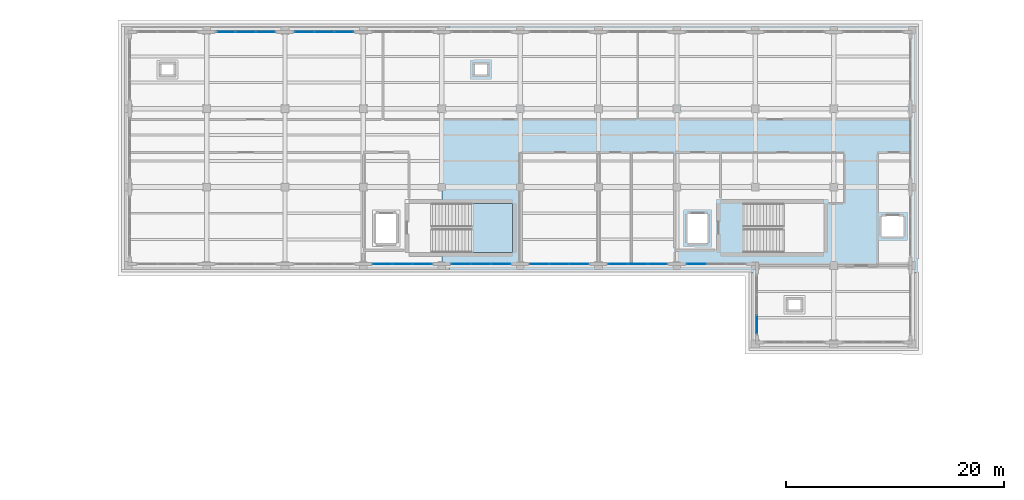
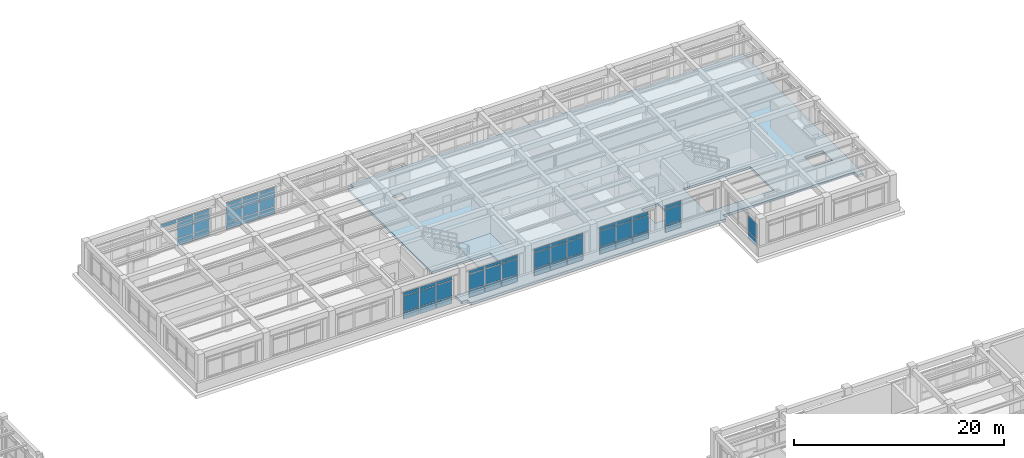
# One storey, part 42 of 64: 57 plates, 2 slabs, 9 elements without a shape of their own.
"""IFC4 building model written with IfcOpenShell, lengths in metres."""

from ifc_helpers import new_model, si_unit, direction, frame, origin, origin_2d, place, context, subcontext, project, spatial, polyline, rectangle, outline, extrude, material, layer, layer_set, type_object, element, aggregate, save


model = new_model("IFC4")

# Units and contexts
model_context = context("Model", 3, precision=1e-05, world=origin(), true_north=direction((0.0, 1.0)))
body_context = subcontext(model_context, "Body", "Model", "MODEL_VIEW")
ifc_project = project(units=[si_unit("LENGTHUNIT", "METRE"), si_unit("AREAUNIT", "SQUARE_METRE"), si_unit("VOLUMEUNIT", "CUBIC_METRE"), si_unit("PLANEANGLEUNIT", "RADIAN"), si_unit("MASSUNIT", "GRAM", prefix="KILO")], contexts=[model_context])

# Site, building, storey
site_placement = place(None, origin())
site = spatial("IfcSite", under=ifc_project, at=site_placement, CompositionType="ELEMENT")
building_placement = place(site_placement, origin())
building = spatial("IfcBuilding", under=site, at=building_placement, Name="Solenvale Faculty of Natural Sciences", CompositionType="ELEMENT")
storey_placement = place(building_placement, frame((0.0, 0.0, 18.0)))
storey = spatial("IfcBuildingStorey", under=building, at=storey_placement, Name="L04", CompositionType="ELEMENT", Elevation=18.0)

# Curtain wall, plates
ifc_material_1 = material(Name="Anodised bronze aluminium", Category="aluminium")
ifc_layer_1 = layer(ifc_material_1, 0.179931640625)
ifc_layer_set_1 = layer_set([ifc_layer_1], Name="Anodised bronze aluminium")
curtain_wall_type = type_object("IfcCurtainWallType", Name="CW-TWR-MOD", PredefinedType="USERDEFINED", material=ifc_layer_set_1)
curtain_wall_1_placement = place(storey_placement, origin())
curtain_wall_1 = element("IfcCurtainWall", 1, at=curtain_wall_1_placement, inside=storey, type_object=curtain_wall_type, Name="L04 Curtain Wall CW-L04-P3-E6-B5", ObjectType="UNITISED CURTAIN WALL", PredefinedType="USERDEFINED")
ifc_material_2 = material(Name="North-light skylight glass", Category="glass")
ifc_layer_2 = layer(ifc_material_2, 0.028076171875)
ifc_layer_set_2 = layer_set([ifc_layer_2], Name="North-light skylight glass")
plate_type_1 = type_object("IfcPlateType", Name="CWP-PNL-28", PredefinedType="CURTAIN_PANEL", material=ifc_layer_set_2)
plate_1_placement = place(storey_placement, frame((109.785400390625, 93.742431640625, 0.074951171875), z_axis=(0.0, 0.0, 1.0), x_axis=(1.0, 0.0, 0.0)))
plate_1 = element("IfcPlate", 2, at=plate_1_placement, type_object=plate_type_1, Name="CW-04 panel 1.1", PredefinedType="CURTAIN_PANEL", context=body_context, shape_type="SweptSolid", body=[
    extrude(rectangle(XDim=1.720947265625, YDim=0.028076171875, at=origin_2d()), origin(), (0.0, 0.0, 1.0), 0.78759765625),
])
plate_2_placement = place(storey_placement, frame((109.785400390625, 93.742431640625, 0.9375), z_axis=(0.0, 0.0, 1.0), x_axis=(1.0, 0.0, 0.0)))
plate_2 = element("IfcPlate", 3, at=plate_2_placement, type_object=plate_type_1, Name="CW-04 panel 1.2", PredefinedType="CURTAIN_PANEL", context=body_context, shape_type="SweptSolid", body=[
    extrude(rectangle(XDim=1.720947265625, YDim=0.028076171875, at=origin_2d()), origin(), (0.0, 0.0, 1.0), 1.784912109375),
])
plate_3_placement = place(storey_placement, frame((109.785400390625, 93.742431640625, 2.79736328125), z_axis=(0.0, 0.0, 1.0), x_axis=(1.0, 0.0, 0.0)))
plate_3 = element("IfcPlate", 4, at=plate_3_placement, type_object=plate_type_1, Name="CW-04 panel 1.3", PredefinedType="CURTAIN_PANEL", context=body_context, shape_type="SweptSolid", body=[
    extrude(rectangle(XDim=1.720947265625, YDim=0.028076171875, at=origin_2d()), origin(), (0.0, 0.0, 1.0), 0.387451171875),
])
plate_4_placement = place(storey_placement, frame((111.60009765625, 93.742431640625, 0.074951171875), z_axis=(0.0, 0.0, 1.0), x_axis=(1.0, 0.0, 0.0)))
plate_4 = element("IfcPlate", 5, at=plate_4_placement, type_object=plate_type_1, Name="CW-04 panel 2.1", PredefinedType="CURTAIN_PANEL", context=body_context, shape_type="SweptSolid", body=[
    extrude(rectangle(XDim=1.75830078125, YDim=0.028076171875, at=origin_2d()), origin(), (0.0, 0.0, 1.0), 0.78759765625),
])
plate_5_placement = place(storey_placement, frame((111.60009765625, 93.742431640625, 0.9375), z_axis=(0.0, 0.0, 1.0), x_axis=(1.0, 0.0, 0.0)))
plate_5 = element("IfcPlate", 6, at=plate_5_placement, type_object=plate_type_1, Name="CW-04 panel 2.2", PredefinedType="CURTAIN_PANEL", context=body_context, shape_type="SweptSolid", body=[
    extrude(rectangle(XDim=1.75830078125, YDim=0.028076171875, at=origin_2d()), origin(), (0.0, 0.0, 1.0), 1.784912109375),
])
plate_6_placement = place(storey_placement, frame((111.60009765625, 93.742431640625, 2.79736328125), z_axis=(0.0, 0.0, 1.0), x_axis=(1.0, 0.0, 0.0)))
plate_6 = element("IfcPlate", 7, at=plate_6_placement, type_object=plate_type_1, Name="CW-04 panel 2.3", PredefinedType="CURTAIN_PANEL", context=body_context, shape_type="SweptSolid", body=[
    extrude(rectangle(XDim=1.75830078125, YDim=0.028076171875, at=origin_2d()), origin(), (0.0, 0.0, 1.0), 0.387451171875),
])
plate_7_placement = place(storey_placement, frame((113.41455078125, 93.742431640625, 0.074951171875), z_axis=(0.0, 0.0, 1.0), x_axis=(1.0, 0.0, 0.0)))
plate_7 = element("IfcPlate", 8, at=plate_7_placement, type_object=plate_type_1, Name="CW-04 panel 3.1", PredefinedType="CURTAIN_PANEL", context=body_context, shape_type="SweptSolid", body=[
    extrude(rectangle(XDim=1.720947265625, YDim=0.028076171875, at=origin_2d()), origin(), (0.0, 0.0, 1.0), 0.78759765625),
])
plate_8_placement = place(storey_placement, frame((113.41455078125, 93.742431640625, 0.9375), z_axis=(0.0, 0.0, 1.0), x_axis=(1.0, 0.0, 0.0)))
plate_8 = element("IfcPlate", 9, at=plate_8_placement, type_object=plate_type_1, Name="CW-04 panel 3.2", PredefinedType="CURTAIN_PANEL", context=body_context, shape_type="SweptSolid", body=[
    extrude(rectangle(XDim=1.720947265625, YDim=0.028076171875, at=origin_2d()), origin(), (0.0, 0.0, 1.0), 1.784912109375),
])
plate_9_placement = place(storey_placement, frame((113.41455078125, 93.742431640625, 2.79736328125), z_axis=(0.0, 0.0, 1.0), x_axis=(1.0, 0.0, 0.0)))
plate_9 = element("IfcPlate", 10, at=plate_9_placement, type_object=plate_type_1, Name="CW-04 panel 3.3", PredefinedType="CURTAIN_PANEL", context=body_context, shape_type="SweptSolid", body=[
    extrude(rectangle(XDim=1.720947265625, YDim=0.028076171875, at=origin_2d()), origin(), (0.0, 0.0, 1.0), 0.387451171875),
])
aggregate(curtain_wall_1, [plate_1, plate_2, plate_3, plate_4, plate_5, plate_6, plate_7, plate_8, plate_9])

curtain_wall_2_placement = place(storey_placement, origin())
curtain_wall_2 = element("IfcCurtainWall", 11, at=curtain_wall_2_placement, inside=storey, type_object=curtain_wall_type, Name="L04 Curtain Wall CW-L04-P3-E4-B8", ObjectType="UNITISED CURTAIN WALL", PredefinedType="USERDEFINED")
ifc_material_3 = material(Name="Triple low-E insulated glass", Category="glass")
ifc_layer_3 = layer(ifc_material_3, 0.031982421875)
ifc_layer_set_3 = layer_set([ifc_layer_3], Name="Triple low-E insulated glass")
plate_type_2 = type_object("IfcPlateType", Name="CWP-PNL-32", PredefinedType="CURTAIN_PANEL", material=ifc_layer_set_3)
plate_10_placement = place(storey_placement, frame((99.0146484375, 115.0576171875, 0.074951171875), z_axis=(0.0, 0.0, 1.0), x_axis=(-1.0, 0.0, 0.0)))
plate_10 = element("IfcPlate", 12, at=plate_10_placement, type_object=plate_type_2, Name="CW-04 panel 1.1", PredefinedType="CURTAIN_PANEL", context=body_context, shape_type="SweptSolid", body=[
    extrude(rectangle(XDim=1.720947265625, YDim=0.031982421875, at=origin_2d()), origin(), (0.0, 0.0, 1.0), 0.78759765625),
])
plate_11_placement = place(storey_placement, frame((99.0146484375, 115.0576171875, 0.9375), z_axis=(0.0, 0.0, 1.0), x_axis=(-1.0, 0.0, 0.0)))
plate_11 = element("IfcPlate", 13, at=plate_11_placement, type_object=plate_type_2, Name="CW-04 panel 1.2", PredefinedType="CURTAIN_PANEL", context=body_context, shape_type="SweptSolid", body=[
    extrude(rectangle(XDim=1.720947265625, YDim=0.031982421875, at=origin_2d()), origin(), (0.0, 0.0, 1.0), 1.784912109375),
])
plate_12_placement = place(storey_placement, frame((99.0146484375, 115.0576171875, 2.79736328125), z_axis=(0.0, 0.0, 1.0), x_axis=(-1.0, 0.0, 0.0)))
plate_12 = element("IfcPlate", 14, at=plate_12_placement, type_object=plate_type_2, Name="CW-04 panel 1.3", PredefinedType="CURTAIN_PANEL", context=body_context, shape_type="SweptSolid", body=[
    extrude(rectangle(XDim=1.720947265625, YDim=0.031982421875, at=origin_2d()), origin(), (0.0, 0.0, 1.0), 0.387451171875),
])
plate_13_placement = place(storey_placement, frame((97.199951171875, 115.0576171875, 0.074951171875), z_axis=(0.0, 0.0, 1.0), x_axis=(-1.0, 0.0, 0.0)))
plate_13 = element("IfcPlate", 15, at=plate_13_placement, type_object=plate_type_2, Name="CW-04 panel 2.1", PredefinedType="CURTAIN_PANEL", context=body_context, shape_type="SweptSolid", body=[
    extrude(rectangle(XDim=1.75830078125, YDim=0.031982421875, at=origin_2d()), origin(), (0.0, 0.0, 1.0), 0.78759765625),
])
plate_14_placement = place(storey_placement, frame((97.199951171875, 115.0576171875, 0.9375), z_axis=(0.0, 0.0, 1.0), x_axis=(-1.0, 0.0, 0.0)))
plate_14 = element("IfcPlate", 16, at=plate_14_placement, type_object=plate_type_2, Name="CW-04 panel 2.2", PredefinedType="CURTAIN_PANEL", context=body_context, shape_type="SweptSolid", body=[
    extrude(rectangle(XDim=1.75830078125, YDim=0.031982421875, at=origin_2d()), origin(), (0.0, 0.0, 1.0), 1.784912109375),
])
plate_15_placement = place(storey_placement, frame((97.199951171875, 115.0576171875, 2.79736328125), z_axis=(0.0, 0.0, 1.0), x_axis=(-1.0, 0.0, 0.0)))
plate_15 = element("IfcPlate", 17, at=plate_15_placement, type_object=plate_type_2, Name="CW-04 panel 2.3", PredefinedType="CURTAIN_PANEL", context=body_context, shape_type="SweptSolid", body=[
    extrude(rectangle(XDim=1.75830078125, YDim=0.031982421875, at=origin_2d()), origin(), (0.0, 0.0, 1.0), 0.387451171875),
])
plate_16_placement = place(storey_placement, frame((95.385498046875, 115.0576171875, 0.074951171875), z_axis=(0.0, 0.0, 1.0), x_axis=(-1.0, 0.0, 0.0)))
plate_16 = element("IfcPlate", 18, at=plate_16_placement, type_object=plate_type_2, Name="CW-04 panel 3.1", PredefinedType="CURTAIN_PANEL", context=body_context, shape_type="SweptSolid", body=[
    extrude(rectangle(XDim=1.720947265625, YDim=0.031982421875, at=origin_2d()), origin(), (0.0, 0.0, 1.0), 0.78759765625),
])
plate_17_placement = place(storey_placement, frame((95.385498046875, 115.0576171875, 0.9375), z_axis=(0.0, 0.0, 1.0), x_axis=(-1.0, 0.0, 0.0)))
plate_17 = element("IfcPlate", 19, at=plate_17_placement, type_object=plate_type_2, Name="CW-04 panel 3.2", PredefinedType="CURTAIN_PANEL", context=body_context, shape_type="SweptSolid", body=[
    extrude(rectangle(XDim=1.720947265625, YDim=0.031982421875, at=origin_2d()), origin(), (0.0, 0.0, 1.0), 1.784912109375),
])
plate_18_placement = place(storey_placement, frame((95.385498046875, 115.0576171875, 2.79736328125), z_axis=(0.0, 0.0, 1.0), x_axis=(-1.0, 0.0, 0.0)))
plate_18 = element("IfcPlate", 20, at=plate_18_placement, type_object=plate_type_2, Name="CW-04 panel 3.3", PredefinedType="CURTAIN_PANEL", context=body_context, shape_type="SweptSolid", body=[
    extrude(rectangle(XDim=1.720947265625, YDim=0.031982421875, at=origin_2d()), origin(), (0.0, 0.0, 1.0), 0.387451171875),
])
aggregate(curtain_wall_2, [plate_10, plate_11, plate_12, plate_13, plate_14, plate_15, plate_16, plate_17, plate_18])

curtain_wall_3_placement = place(storey_placement, origin())
curtain_wall_3 = element("IfcCurtainWall", 21, at=curtain_wall_3_placement, inside=storey, type_object=curtain_wall_type, Name="L04 Curtain Wall CW-L04-P3-E6-B6", ObjectType="UNITISED CURTAIN WALL", PredefinedType="USERDEFINED")
plate_19_placement = place(storey_placement, frame((116.9853515625, 93.742431640625, 0.074951171875), z_axis=(0.0, 0.0, 1.0), x_axis=(1.0, 0.0, 0.0)))
plate_19 = element("IfcPlate", 22, at=plate_19_placement, type_object=plate_type_2, Name="CW-04 panel 1.1", PredefinedType="CURTAIN_PANEL", context=body_context, shape_type="SweptSolid", body=[
    extrude(rectangle(XDim=1.720947265625, YDim=0.031982421875, at=origin_2d()), origin(), (0.0, 0.0, 1.0), 0.78759765625),
])
plate_20_placement = place(storey_placement, frame((116.9853515625, 93.742431640625, 0.9375), z_axis=(0.0, 0.0, 1.0), x_axis=(1.0, 0.0, 0.0)))
plate_20 = element("IfcPlate", 23, at=plate_20_placement, type_object=plate_type_2, Name="CW-04 panel 1.2", PredefinedType="CURTAIN_PANEL", context=body_context, shape_type="SweptSolid", body=[
    extrude(rectangle(XDim=1.720947265625, YDim=0.031982421875, at=origin_2d()), origin(), (0.0, 0.0, 1.0), 1.784912109375),
])
plate_21_placement = place(storey_placement, frame((116.9853515625, 93.742431640625, 2.79736328125), z_axis=(0.0, 0.0, 1.0), x_axis=(1.0, 0.0, 0.0)))
plate_21 = element("IfcPlate", 24, at=plate_21_placement, type_object=plate_type_2, Name="CW-04 panel 1.3", PredefinedType="CURTAIN_PANEL", context=body_context, shape_type="SweptSolid", body=[
    extrude(rectangle(XDim=1.720947265625, YDim=0.031982421875, at=origin_2d()), origin(), (0.0, 0.0, 1.0), 0.387451171875),
])
plate_22_placement = place(storey_placement, frame((118.800048828125, 93.742431640625, 0.074951171875), z_axis=(0.0, 0.0, 1.0), x_axis=(1.0, 0.0, 0.0)))
plate_22 = element("IfcPlate", 25, at=plate_22_placement, type_object=plate_type_2, Name="CW-04 panel 2.1", PredefinedType="CURTAIN_PANEL", context=body_context, shape_type="SweptSolid", body=[
    extrude(rectangle(XDim=1.75830078125, YDim=0.031982421875, at=origin_2d()), origin(), (0.0, 0.0, 1.0), 0.78759765625),
])
plate_23_placement = place(storey_placement, frame((118.800048828125, 93.742431640625, 0.9375), z_axis=(0.0, 0.0, 1.0), x_axis=(1.0, 0.0, 0.0)))
plate_23 = element("IfcPlate", 26, at=plate_23_placement, type_object=plate_type_2, Name="CW-04 panel 2.2", PredefinedType="CURTAIN_PANEL", context=body_context, shape_type="SweptSolid", body=[
    extrude(rectangle(XDim=1.75830078125, YDim=0.031982421875, at=origin_2d()), origin(), (0.0, 0.0, 1.0), 1.784912109375),
])
plate_24_placement = place(storey_placement, frame((118.800048828125, 93.742431640625, 2.79736328125), z_axis=(0.0, 0.0, 1.0), x_axis=(1.0, 0.0, 0.0)))
plate_24 = element("IfcPlate", 27, at=plate_24_placement, type_object=plate_type_2, Name="CW-04 panel 2.3", PredefinedType="CURTAIN_PANEL", context=body_context, shape_type="SweptSolid", body=[
    extrude(rectangle(XDim=1.75830078125, YDim=0.031982421875, at=origin_2d()), origin(), (0.0, 0.0, 1.0), 0.387451171875),
])
plate_25_placement = place(storey_placement, frame((120.614501953125, 93.742431640625, 0.074951171875), z_axis=(0.0, 0.0, 1.0), x_axis=(1.0, 0.0, 0.0)))
plate_25 = element("IfcPlate", 28, at=plate_25_placement, type_object=plate_type_2, Name="CW-04 panel 3.1", PredefinedType="CURTAIN_PANEL", context=body_context, shape_type="SweptSolid", body=[
    extrude(rectangle(XDim=1.720947265625, YDim=0.031982421875, at=origin_2d()), origin(), (0.0, 0.0, 1.0), 0.78759765625),
])
plate_26_placement = place(storey_placement, frame((120.614501953125, 93.742431640625, 0.9375), z_axis=(0.0, 0.0, 1.0), x_axis=(1.0, 0.0, 0.0)))
plate_26 = element("IfcPlate", 29, at=plate_26_placement, type_object=plate_type_2, Name="CW-04 panel 3.2", PredefinedType="CURTAIN_PANEL", context=body_context, shape_type="SweptSolid", body=[
    extrude(rectangle(XDim=1.720947265625, YDim=0.031982421875, at=origin_2d()), origin(), (0.0, 0.0, 1.0), 1.784912109375),
])
plate_27_placement = place(storey_placement, frame((120.614501953125, 93.742431640625, 2.79736328125), z_axis=(0.0, 0.0, 1.0), x_axis=(1.0, 0.0, 0.0)))
plate_27 = element("IfcPlate", 30, at=plate_27_placement, type_object=plate_type_2, Name="CW-04 panel 3.3", PredefinedType="CURTAIN_PANEL", context=body_context, shape_type="SweptSolid", body=[
    extrude(rectangle(XDim=1.720947265625, YDim=0.031982421875, at=origin_2d()), origin(), (0.0, 0.0, 1.0), 0.387451171875),
])
aggregate(curtain_wall_3, [plate_19, plate_20, plate_21, plate_22, plate_23, plate_24, plate_25, plate_26, plate_27])

curtain_wall_4_placement = place(storey_placement, origin())
curtain_wall_4 = element("IfcCurtainWall", 31, at=curtain_wall_4_placement, inside=storey, type_object=curtain_wall_type, Name="L04 Curtain Wall CW-L04-P3-E4-B9", ObjectType="UNITISED CURTAIN WALL", PredefinedType="USERDEFINED")
ifc_layer_4 = layer(ifc_material_3, 0.035888671875)
ifc_layer_set_4 = layer_set([ifc_layer_4], Name="Triple low-E insulated glass")
plate_type_3 = type_object("IfcPlateType", Name="CWP-PNL-36", PredefinedType="CURTAIN_PANEL", material=ifc_layer_set_4)
plate_28_placement = place(storey_placement, frame((91.814697265625, 115.0576171875, 0.074951171875), z_axis=(0.0, 0.0, 1.0), x_axis=(-1.0, 0.0, 0.0)))
plate_28 = element("IfcPlate", 32, at=plate_28_placement, type_object=plate_type_3, Name="CW-04 panel 1.1", PredefinedType="CURTAIN_PANEL", context=body_context, shape_type="SweptSolid", body=[
    extrude(rectangle(XDim=1.720947265625, YDim=0.035888671875, at=origin_2d()), origin(), (0.0, 0.0, 1.0), 0.78759765625),
])
plate_29_placement = place(storey_placement, frame((91.814697265625, 115.0576171875, 0.9375), z_axis=(0.0, 0.0, 1.0), x_axis=(-1.0, 0.0, 0.0)))
plate_29 = element("IfcPlate", 33, at=plate_29_placement, type_object=plate_type_3, Name="CW-04 panel 1.2", PredefinedType="CURTAIN_PANEL", context=body_context, shape_type="SweptSolid", body=[
    extrude(rectangle(XDim=1.720947265625, YDim=0.035888671875, at=origin_2d()), origin(), (0.0, 0.0, 1.0), 1.784912109375),
])
plate_30_placement = place(storey_placement, frame((91.814697265625, 115.0576171875, 2.79736328125), z_axis=(0.0, 0.0, 1.0), x_axis=(-1.0, 0.0, 0.0)))
plate_30 = element("IfcPlate", 34, at=plate_30_placement, type_object=plate_type_3, Name="CW-04 panel 1.3", PredefinedType="CURTAIN_PANEL", context=body_context, shape_type="SweptSolid", body=[
    extrude(rectangle(XDim=1.720947265625, YDim=0.035888671875, at=origin_2d()), origin(), (0.0, 0.0, 1.0), 0.387451171875),
])
plate_31_placement = place(storey_placement, frame((90.0, 115.0576171875, 0.074951171875), z_axis=(0.0, 0.0, 1.0), x_axis=(-1.0, 0.0, 0.0)))
plate_31 = element("IfcPlate", 35, at=plate_31_placement, type_object=plate_type_3, Name="CW-04 panel 2.1", PredefinedType="CURTAIN_PANEL", context=body_context, shape_type="SweptSolid", body=[
    extrude(rectangle(XDim=1.75830078125, YDim=0.035888671875, at=origin_2d()), origin(), (0.0, 0.0, 1.0), 0.78759765625),
])
plate_32_placement = place(storey_placement, frame((90.0, 115.0576171875, 0.9375), z_axis=(0.0, 0.0, 1.0), x_axis=(-1.0, 0.0, 0.0)))
plate_32 = element("IfcPlate", 36, at=plate_32_placement, type_object=plate_type_3, Name="CW-04 panel 2.2", PredefinedType="CURTAIN_PANEL", context=body_context, shape_type="SweptSolid", body=[
    extrude(rectangle(XDim=1.75830078125, YDim=0.035888671875, at=origin_2d()), origin(), (0.0, 0.0, 1.0), 1.784912109375),
])
plate_33_placement = place(storey_placement, frame((90.0, 115.0576171875, 2.79736328125), z_axis=(0.0, 0.0, 1.0), x_axis=(-1.0, 0.0, 0.0)))
plate_33 = element("IfcPlate", 37, at=plate_33_placement, type_object=plate_type_3, Name="CW-04 panel 2.3", PredefinedType="CURTAIN_PANEL", context=body_context, shape_type="SweptSolid", body=[
    extrude(rectangle(XDim=1.75830078125, YDim=0.035888671875, at=origin_2d()), origin(), (0.0, 0.0, 1.0), 0.387451171875),
])
plate_34_placement = place(storey_placement, frame((88.185302734375, 115.0576171875, 2.79736328125), z_axis=(0.0, 0.0, 1.0), x_axis=(-1.0, 0.0, 0.0)))
plate_34 = element("IfcPlate", 38, at=plate_34_placement, type_object=plate_type_3, Name="CW-04 panel 3.3", PredefinedType="CURTAIN_PANEL", context=body_context, shape_type="SweptSolid", body=[
    extrude(rectangle(XDim=1.720947265625, YDim=0.035888671875, at=origin_2d()), origin(), (0.0, 0.0, 1.0), 0.387451171875),
])
aggregate(curtain_wall_4, [plate_28, plate_29, plate_30, plate_31, plate_32, plate_33, plate_34])

curtain_wall_5_placement = place(storey_placement, origin())
curtain_wall_5 = element("IfcCurtainWall", 39, at=curtain_wall_5_placement, inside=storey, type_object=curtain_wall_type, Name="L04 Curtain Wall CW-L04-P3-E6-B7", ObjectType="UNITISED CURTAIN WALL", PredefinedType="USERDEFINED")
plate_35_placement = place(storey_placement, frame((124.185302734375, 93.742431640625, 0.074951171875), z_axis=(0.0, 0.0, 1.0), x_axis=(1.0, 0.0, 0.0)))
plate_35 = element("IfcPlate", 40, at=plate_35_placement, type_object=plate_type_3, Name="CW-04 panel 1.1", PredefinedType="CURTAIN_PANEL", context=body_context, shape_type="SweptSolid", body=[
    extrude(rectangle(XDim=1.720947265625, YDim=0.035888671875, at=origin_2d()), origin(), (0.0, 0.0, 1.0), 0.78759765625),
])
plate_36_placement = place(storey_placement, frame((124.185302734375, 93.742431640625, 0.9375), z_axis=(0.0, 0.0, 1.0), x_axis=(1.0, 0.0, 0.0)))
plate_36 = element("IfcPlate", 41, at=plate_36_placement, type_object=plate_type_3, Name="CW-04 panel 1.2", PredefinedType="CURTAIN_PANEL", context=body_context, shape_type="SweptSolid", body=[
    extrude(rectangle(XDim=1.720947265625, YDim=0.035888671875, at=origin_2d()), origin(), (0.0, 0.0, 1.0), 1.784912109375),
])
plate_37_placement = place(storey_placement, frame((124.185302734375, 93.742431640625, 2.79736328125), z_axis=(0.0, 0.0, 1.0), x_axis=(1.0, 0.0, 0.0)))
plate_37 = element("IfcPlate", 42, at=plate_37_placement, type_object=plate_type_3, Name="CW-04 panel 1.3", PredefinedType="CURTAIN_PANEL", context=body_context, shape_type="SweptSolid", body=[
    extrude(rectangle(XDim=1.720947265625, YDim=0.035888671875, at=origin_2d()), origin(), (0.0, 0.0, 1.0), 0.387451171875),
])
plate_38_placement = place(storey_placement, frame((126.0, 93.742431640625, 0.074951171875), z_axis=(0.0, 0.0, 1.0), x_axis=(1.0, 0.0, 0.0)))
plate_38 = element("IfcPlate", 43, at=plate_38_placement, type_object=plate_type_3, Name="CW-04 panel 2.1", PredefinedType="CURTAIN_PANEL", context=body_context, shape_type="SweptSolid", body=[
    extrude(rectangle(XDim=1.75830078125, YDim=0.035888671875, at=origin_2d()), origin(), (0.0, 0.0, 1.0), 0.78759765625),
])
plate_39_placement = place(storey_placement, frame((126.0, 93.742431640625, 0.9375), z_axis=(0.0, 0.0, 1.0), x_axis=(1.0, 0.0, 0.0)))
plate_39 = element("IfcPlate", 44, at=plate_39_placement, type_object=plate_type_3, Name="CW-04 panel 2.2", PredefinedType="CURTAIN_PANEL", context=body_context, shape_type="SweptSolid", body=[
    extrude(rectangle(XDim=1.75830078125, YDim=0.035888671875, at=origin_2d()), origin(), (0.0, 0.0, 1.0), 1.784912109375),
])
plate_40_placement = place(storey_placement, frame((126.0, 93.742431640625, 2.79736328125), z_axis=(0.0, 0.0, 1.0), x_axis=(1.0, 0.0, 0.0)))
plate_40 = element("IfcPlate", 45, at=plate_40_placement, type_object=plate_type_3, Name="CW-04 panel 2.3", PredefinedType="CURTAIN_PANEL", context=body_context, shape_type="SweptSolid", body=[
    extrude(rectangle(XDim=1.75830078125, YDim=0.035888671875, at=origin_2d()), origin(), (0.0, 0.0, 1.0), 0.387451171875),
])
plate_41_placement = place(storey_placement, frame((127.814697265625, 93.742431640625, 0.074951171875), z_axis=(0.0, 0.0, 1.0), x_axis=(1.0, 0.0, 0.0)))
plate_41 = element("IfcPlate", 46, at=plate_41_placement, type_object=plate_type_3, Name="CW-04 panel 3.1", PredefinedType="CURTAIN_PANEL", context=body_context, shape_type="SweptSolid", body=[
    extrude(rectangle(XDim=1.720947265625, YDim=0.035888671875, at=origin_2d()), origin(), (0.0, 0.0, 1.0), 0.78759765625),
])
plate_42_placement = place(storey_placement, frame((127.814697265625, 93.742431640625, 0.9375), z_axis=(0.0, 0.0, 1.0), x_axis=(1.0, 0.0, 0.0)))
plate_42 = element("IfcPlate", 47, at=plate_42_placement, type_object=plate_type_3, Name="CW-04 panel 3.2", PredefinedType="CURTAIN_PANEL", context=body_context, shape_type="SweptSolid", body=[
    extrude(rectangle(XDim=1.720947265625, YDim=0.035888671875, at=origin_2d()), origin(), (0.0, 0.0, 1.0), 1.784912109375),
])
plate_43_placement = place(storey_placement, frame((127.814697265625, 93.742431640625, 2.79736328125), z_axis=(0.0, 0.0, 1.0), x_axis=(1.0, 0.0, 0.0)))
plate_43 = element("IfcPlate", 48, at=plate_43_placement, type_object=plate_type_3, Name="CW-04 panel 3.3", PredefinedType="CURTAIN_PANEL", context=body_context, shape_type="SweptSolid", body=[
    extrude(rectangle(XDim=1.720947265625, YDim=0.035888671875, at=origin_2d()), origin(), (0.0, 0.0, 1.0), 0.387451171875),
])
aggregate(curtain_wall_5, [plate_35, plate_36, plate_37, plate_38, plate_39, plate_40, plate_41, plate_42, plate_43])

curtain_wall_6_placement = place(storey_placement, origin())
curtain_wall_6 = element("IfcCurtainWall", 49, at=curtain_wall_6_placement, inside=storey, type_object=curtain_wall_type, Name="L04 Curtain Wall CW-L04-P3-E6-B8", ObjectType="UNITISED CURTAIN WALL", PredefinedType="USERDEFINED")
ifc_layer_5 = layer(ifc_material_3, 0.0400390625)
ifc_layer_set_5 = layer_set([ifc_layer_5], Name="Triple low-E insulated glass")
plate_type_4 = type_object("IfcPlateType", Name="CWP-PNL-40", PredefinedType="CURTAIN_PANEL", material=ifc_layer_set_5)
plate_44_placement = place(storey_placement, frame((131.385498046875, 93.742431640625, 0.074951171875), z_axis=(0.0, 0.0, 1.0), x_axis=(1.0, 0.0, 0.0)))
plate_44 = element("IfcPlate", 50, at=plate_44_placement, type_object=plate_type_4, Name="CW-04 panel 1.1", PredefinedType="CURTAIN_PANEL", context=body_context, shape_type="SweptSolid", body=[
    extrude(rectangle(XDim=1.720947265625, YDim=0.0400390625, at=origin_2d()), origin(), (0.0, 0.0, 1.0), 0.78759765625),
])
plate_45_placement = place(storey_placement, frame((131.385498046875, 93.742431640625, 0.9375), z_axis=(0.0, 0.0, 1.0), x_axis=(1.0, 0.0, 0.0)))
plate_45 = element("IfcPlate", 51, at=plate_45_placement, type_object=plate_type_4, Name="CW-04 panel 1.2", PredefinedType="CURTAIN_PANEL", context=body_context, shape_type="SweptSolid", body=[
    extrude(rectangle(XDim=1.720947265625, YDim=0.0400390625, at=origin_2d()), origin(), (0.0, 0.0, 1.0), 1.784912109375),
])
plate_46_placement = place(storey_placement, frame((131.385498046875, 93.742431640625, 2.79736328125), z_axis=(0.0, 0.0, 1.0), x_axis=(1.0, 0.0, 0.0)))
plate_46 = element("IfcPlate", 52, at=plate_46_placement, type_object=plate_type_4, Name="CW-04 panel 1.3", PredefinedType="CURTAIN_PANEL", context=body_context, shape_type="SweptSolid", body=[
    extrude(rectangle(XDim=1.720947265625, YDim=0.0400390625, at=origin_2d()), origin(), (0.0, 0.0, 1.0), 0.387451171875),
])
aggregate(curtain_wall_6, [plate_44, plate_45, plate_46])

curtain_wall_7_placement = place(storey_placement, origin())
curtain_wall_7 = element("IfcCurtainWall", 53, at=curtain_wall_7_placement, inside=storey, type_object=curtain_wall_type, Name="L04 Curtain Wall CW-L04-P3-E7-B1", ObjectType="UNITISED CURTAIN WALL", PredefinedType="USERDEFINED")
ifc_layer_6 = layer(ifc_material_1, 0.048095703125)
ifc_layer_set_6 = layer_set([ifc_layer_6], Name="Anodised bronze aluminium")
plate_type_5 = type_object("IfcPlateType", Name="CWP-PNL-48", PredefinedType="CURTAIN_PANEL", material=ifc_layer_set_6)
plate_47_placement = place(storey_placement, frame((136.9423828125, 88.185302734375, 0.074951171875), z_axis=(0.0, 0.0, 1.0), x_axis=(0.0, -1.0, 0.0)))
plate_47 = element("IfcPlate", 54, at=plate_47_placement, type_object=plate_type_5, Name="CW-04 panel 3.1", PredefinedType="CURTAIN_PANEL", context=body_context, shape_type="SweptSolid", body=[
    extrude(rectangle(XDim=1.720947265625, YDim=0.048095703125, at=origin_2d()), origin(), (0.0, 0.0, 1.0), 0.78759765625),
])
plate_48_placement = place(storey_placement, frame((136.9423828125, 88.185302734375, 0.9375), z_axis=(0.0, 0.0, 1.0), x_axis=(0.0, -1.0, 0.0)))
plate_48 = element("IfcPlate", 55, at=plate_48_placement, type_object=plate_type_5, Name="CW-04 panel 3.2", PredefinedType="CURTAIN_PANEL", context=body_context, shape_type="SweptSolid", body=[
    extrude(rectangle(XDim=1.720947265625, YDim=0.048095703125, at=origin_2d()), origin(), (0.0, 0.0, 1.0), 1.784912109375),
])
aggregate(curtain_wall_7, [plate_47, plate_48])

curtain_wall_8_placement = place(storey_placement, origin())
curtain_wall_8 = element("IfcCurtainWall", 56, at=curtain_wall_8_placement, inside=storey, type_object=curtain_wall_type, Name="L04 Curtain Wall CW-L04-P3-E6-B4", ObjectType="UNITISED CURTAIN WALL", PredefinedType="USERDEFINED")
ifc_layer_7 = layer(ifc_material_1, 0.06005859375)
ifc_layer_set_7 = layer_set([ifc_layer_7], Name="Anodised bronze aluminium")
plate_type_6 = type_object("IfcPlateType", Name="CWP-PNL-60", PredefinedType="CURTAIN_PANEL", material=ifc_layer_set_7)
plate_49_placement = place(storey_placement, frame((102.58544921875, 93.742431640625, 0.074951171875), z_axis=(0.0, 0.0, 1.0), x_axis=(1.0, 0.0, 0.0)))
plate_49 = element("IfcPlate", 57, at=plate_49_placement, type_object=plate_type_6, Name="CW-04 panel 1.1", PredefinedType="CURTAIN_PANEL", context=body_context, shape_type="SweptSolid", body=[
    extrude(rectangle(XDim=1.720947265625, YDim=0.06005859375, at=origin_2d()), origin(), (0.0, 0.0, 1.0), 0.78759765625),
])
plate_50_placement = place(storey_placement, frame((102.58544921875, 93.742431640625, 0.9375), z_axis=(0.0, 0.0, 1.0), x_axis=(1.0, 0.0, 0.0)))
plate_50 = element("IfcPlate", 58, at=plate_50_placement, type_object=plate_type_6, Name="CW-04 panel 1.2", PredefinedType="CURTAIN_PANEL", context=body_context, shape_type="SweptSolid", body=[
    extrude(rectangle(XDim=1.720947265625, YDim=0.06005859375, at=origin_2d()), origin(), (0.0, 0.0, 1.0), 1.784912109375),
])
plate_51_placement = place(storey_placement, frame((102.58544921875, 93.742431640625, 2.79736328125), z_axis=(0.0, 0.0, 1.0), x_axis=(1.0, 0.0, 0.0)))
plate_51 = element("IfcPlate", 59, at=plate_51_placement, type_object=plate_type_6, Name="CW-04 panel 1.3", PredefinedType="CURTAIN_PANEL", context=body_context, shape_type="SweptSolid", body=[
    extrude(rectangle(XDim=1.720947265625, YDim=0.06005859375, at=origin_2d()), origin(), (0.0, 0.0, 1.0), 0.387451171875),
])
plate_52_placement = place(storey_placement, frame((104.39990234375, 93.742431640625, 0.074951171875), z_axis=(0.0, 0.0, 1.0), x_axis=(1.0, 0.0, 0.0)))
plate_52 = element("IfcPlate", 60, at=plate_52_placement, type_object=plate_type_6, Name="CW-04 panel 2.1", PredefinedType="CURTAIN_PANEL", context=body_context, shape_type="SweptSolid", body=[
    extrude(rectangle(XDim=1.75830078125, YDim=0.06005859375, at=origin_2d()), origin(), (0.0, 0.0, 1.0), 0.78759765625),
])
plate_53_placement = place(storey_placement, frame((104.39990234375, 93.742431640625, 0.9375), z_axis=(0.0, 0.0, 1.0), x_axis=(1.0, 0.0, 0.0)))
plate_53 = element("IfcPlate", 61, at=plate_53_placement, type_object=plate_type_6, Name="CW-04 panel 2.2", PredefinedType="CURTAIN_PANEL", context=body_context, shape_type="SweptSolid", body=[
    extrude(rectangle(XDim=1.75830078125, YDim=0.06005859375, at=origin_2d()), origin(), (0.0, 0.0, 1.0), 1.784912109375),
])
plate_54_placement = place(storey_placement, frame((104.39990234375, 93.742431640625, 2.79736328125), z_axis=(0.0, 0.0, 1.0), x_axis=(1.0, 0.0, 0.0)))
plate_54 = element("IfcPlate", 62, at=plate_54_placement, type_object=plate_type_6, Name="CW-04 panel 2.3", PredefinedType="CURTAIN_PANEL", context=body_context, shape_type="SweptSolid", body=[
    extrude(rectangle(XDim=1.75830078125, YDim=0.06005859375, at=origin_2d()), origin(), (0.0, 0.0, 1.0), 0.387451171875),
])
plate_55_placement = place(storey_placement, frame((106.214599609375, 93.742431640625, 0.074951171875), z_axis=(0.0, 0.0, 1.0), x_axis=(1.0, 0.0, 0.0)))
plate_55 = element("IfcPlate", 63, at=plate_55_placement, type_object=plate_type_6, Name="CW-04 panel 3.1", PredefinedType="CURTAIN_PANEL", context=body_context, shape_type="SweptSolid", body=[
    extrude(rectangle(XDim=1.720947265625, YDim=0.06005859375, at=origin_2d()), origin(), (0.0, 0.0, 1.0), 0.78759765625),
])
plate_56_placement = place(storey_placement, frame((106.214599609375, 93.742431640625, 0.9375), z_axis=(0.0, 0.0, 1.0), x_axis=(1.0, 0.0, 0.0)))
plate_56 = element("IfcPlate", 64, at=plate_56_placement, type_object=plate_type_6, Name="CW-04 panel 3.2", PredefinedType="CURTAIN_PANEL", context=body_context, shape_type="SweptSolid", body=[
    extrude(rectangle(XDim=1.720947265625, YDim=0.06005859375, at=origin_2d()), origin(), (0.0, 0.0, 1.0), 1.784912109375),
])
plate_57_placement = place(storey_placement, frame((106.214599609375, 93.742431640625, 2.79736328125), z_axis=(0.0, 0.0, 1.0), x_axis=(1.0, 0.0, 0.0)))
plate_57 = element("IfcPlate", 65, at=plate_57_placement, type_object=plate_type_6, Name="CW-04 panel 3.3", PredefinedType="CURTAIN_PANEL", context=body_context, shape_type="SweptSolid", body=[
    extrude(rectangle(XDim=1.720947265625, YDim=0.06005859375, at=origin_2d()), origin(), (0.0, 0.0, 1.0), 0.387451171875),
])
aggregate(curtain_wall_8, [plate_49, plate_50, plate_51, plate_52, plate_53, plate_54, plate_55, plate_56, plate_57])

# Slab
ifc_material_4 = material(Name="Concrete 40 MPa", Category="concrete")
ifc_layer_8 = layer(ifc_material_4, 0.280029296875)
ifc_layer_set_8 = layer_set([ifc_layer_8], Name="Concrete 40 MPa")
slab_type_1 = type_object("IfcSlabType", Name="SL-FLR-280", PredefinedType="FLOOR", material=ifc_layer_set_8)
slab_1_placement = place(storey_placement, frame((0.0, 0.0, -0.280029296875)))
element("IfcSlab", 66, at=slab_1_placement, inside=storey, type_object=slab_type_1, Name="L04 V5 Floor Slab 2.1", PredefinedType="FLOOR", context=body_context, shape_type="SweptSolid", body=[
    extrude(outline(polyline([(108.054931640625, 93.580078125), (108.037353515625, 93.58740234375), (108.030029296875, 93.60498046875), (108.030029296875, 94.77490234375), (108.03564453125, 94.791015625), (108.050048828125, 94.799560546875), (114.5, 94.800537109375), (114.5, 99.300048828125), (108.054931640625, 99.300048828125), (108.031005859375, 99.317626953125), (108.030029296875, 115.195068359375), (108.037353515625, 115.212646484375), (108.054931640625, 115.219970703125), (108.679931640625, 115.219970703125), (108.679931640625, 115.85498046875), (108.693115234375, 115.876953125), (151.85498046875, 115.8798828125), (151.876953125, 115.86669921875), (151.8798828125, 92.945068359375), (151.86669921875, 92.923095703125), (151.2451171875, 92.919921875), (151.227294921875, 92.92724609375), (151.219970703125, 92.945068359375), (151.219970703125, 93.55029296875), (151.214599609375, 93.563720703125), (151.2001953125, 93.570068359375), (136.80029296875, 93.570068359375), (136.786376953125, 93.564697265625), (136.780029296875, 93.55029296875), (136.77978515625, 92.9423828125), (136.77099609375, 92.92578125), (136.7548828125, 92.919921875), (108.705078125, 92.919921875), (108.687255859375, 92.92724609375), (108.679931640625, 92.945068359375), (108.679931640625, 93.580078125), (108.054931640625, 93.580078125)]), holes=[polyline([(148.385009765625, 96.260009765625), (150.4150390625, 96.260009765625), (150.4150390625, 98.139892578125), (148.385009765625, 98.139892578125), (148.385009765625, 96.260009765625)]), polyline([(135.739990234375, 94.800048828125), (143.10009765625, 94.800048828125), (143.10009765625, 99.300048828125), (135.739990234375, 99.300048828125), (135.739990234375, 94.800048828125)]), polyline([(130.56005859375, 95.659912109375), (132.43994140625, 95.659912109375), (132.43994140625, 98.340087890625), (130.56005859375, 98.340087890625), (130.56005859375, 95.659912109375)]), polyline([(111.050048828125, 111.14990234375), (112.14990234375, 111.14990234375), (112.14990234375, 112.050048828125), (111.050048828125, 112.050048828125), (111.050048828125, 111.14990234375)])]), origin(), (0.0, 0.0, 1.0), 0.280029296875),
])

# Stair, slab
stair_type = type_object("IfcStairType", Name="STR-CORE-25R", PredefinedType="DOUBLE_RETURN_STAIR", material=ifc_material_4)
stair_placement = place(storey_placement, origin())
stair = element("IfcStair", 67, at=stair_placement, inside=storey, type_object=stair_type, Name="L04 Protected Exit Stair ST-04", PredefinedType="DOUBLE_RETURN_STAIR")
ifc_layer_9 = layer(ifc_material_4, 0.195068359375)
ifc_layer_set_9 = layer_set([ifc_layer_9], Name="Concrete 40 MPa")
slab_type_2 = type_object("IfcSlabType", Name="SL-LND-195", PredefinedType="LANDING", material=ifc_layer_set_9)
slab_2_placement = place(storey_placement, frame((0.0, 0.0, 2.050048828125)))
slab_2 = element("IfcSlab", 68, at=slab_2_placement, type_object=slab_type_2, Name="ST-04 landing 1", PredefinedType="LANDING", context=body_context, shape_type="SweptSolid", body=[
    extrude(outline(polyline([(110.739990234375, 94.800048828125), (114.5, 94.800048828125), (114.5, 99.300048828125), (110.739990234375, 99.300048828125), (110.739990234375, 94.800048828125)])), origin(), (0.0, 0.0, 1.0), 0.199951171875),
])
aggregate(stair, [slab_2])

save(model, "model.ifc")
